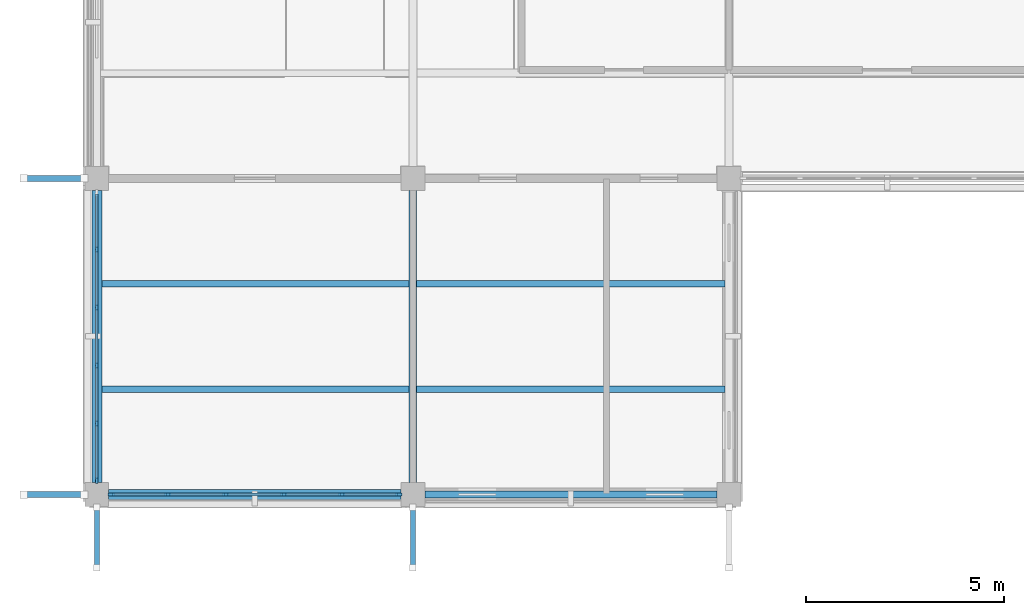
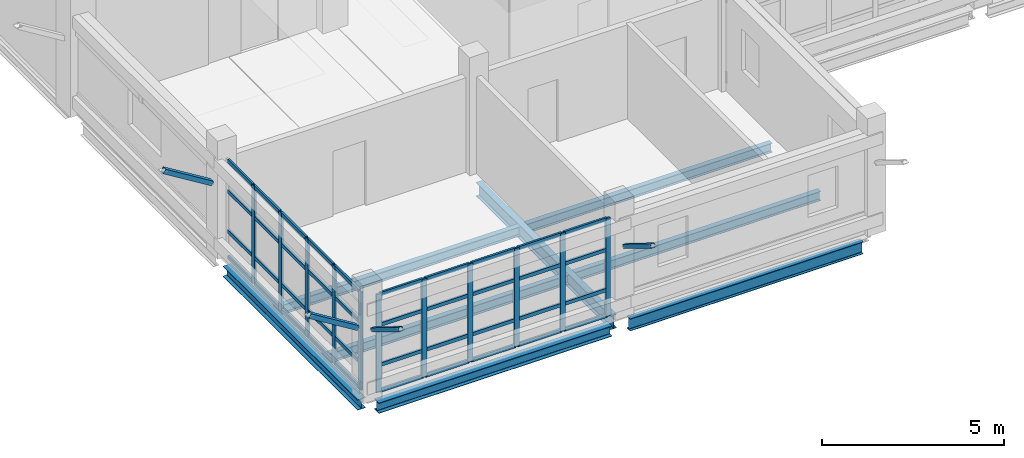
# One storey, part 6 of 126: 55 members, 8 beams, 2 elements without a shape of their own.
"""IFC4 building model written with IfcOpenShell, lengths in metres."""

from ifc_helpers import new_model, si_unit, derived_unit, direction, frame, origin, origin_2d, place, context, subcontext, project, spatial, rectangle, hollow_rectangle, i_section, extrude, material, layer, layer_set, material_profile, profile_set, type_object, element, aggregate, save


model = new_model("IFC4")

# Units and contexts
model_context = context("Model", 3, precision=1e-05, world=origin(), true_north=direction((0.0, 1.0)))
body_context = subcontext(model_context, "Body", "Model", "MODEL_VIEW")
ifc_project = project(units=[si_unit("LENGTHUNIT", "METRE"), si_unit("AREAUNIT", "SQUARE_METRE"), si_unit("VOLUMEUNIT", "CUBIC_METRE"), si_unit("PLANEANGLEUNIT", "RADIAN"), si_unit("MASSUNIT", "GRAM", prefix="KILO"), derived_unit("THERMALTRANSMITTANCEUNIT", [(si_unit("MASSUNIT", "GRAM", prefix="KILO"), 1), (si_unit("TIMEUNIT", "SECOND"), -3), (si_unit("THERMODYNAMICTEMPERATUREUNIT", "KELVIN"), -1)])], contexts=[model_context])

# Site, building, storey
site_placement = place(None, origin())
site = spatial("IfcSite", under=ifc_project, at=site_placement, CompositionType="ELEMENT")
building_placement = place(site_placement, origin())
building = spatial("IfcBuilding", under=site, at=building_placement, Name="Veyamyaing Civic Hall", CompositionType="ELEMENT")
storey_placement = place(building_placement, frame((0.0, 0.0, 9.89990234375)))
storey = spatial("IfcBuildingStorey", under=building, at=storey_placement, Name="L02", CompositionType="ELEMENT", Elevation=9.89990234375)

# Beams
ifc_material_1 = material(Name="Steel ASTM A992", Category="steel")
ifc_material_profile_1 = material_profile(ifc_material_1, i_section(OverallWidth=0.19189453125, OverallDepth=0.462890625, WebThickness=0.010498046875, FlangeThickness=0.017578125, FilletRadius=0.010009765625, at=origin_2d()), Name="W460X89")
ifc_profile_set_1 = profile_set([ifc_material_profile_1], Name="Steel ASTM A992")
beam_type_1 = type_object("IfcBeamType", Name="B-08", PredefinedType="BEAM", material=ifc_profile_set_1)
beam_1_placement = place(storey_placement, frame((8.0, 0.300048828125, -0.516357421875), z_axis=(0.0, 1.0, 0.0), x_axis=(-1.0, 0.0, 0.0)))
element("IfcBeam", 1, at=beam_1_placement, inside=storey, type_object=beam_type_1, Name="Girder B-08 L02 Grid 2 A-B", PredefinedType="BEAM", context=body_context, shape_type="SweptSolid", body=[
    extrude(i_section(OverallWidth=0.19189453125, OverallDepth=0.462890625, WebThickness=0.010498046875, FlangeThickness=0.017578125, FilletRadius=0.010009765625, at=origin_2d()), origin(), (0.0, 0.0, 1.0), 7.39990234375),
])
ifc_material_profile_2 = material_profile(ifc_material_1, i_section(OverallWidth=0.179931640625, OverallDepth=0.4130859375, WebThickness=0.009765625, FlangeThickness=0.01611328125, FilletRadius=0.010009765625, at=origin_2d()), Name="W410X74")
ifc_profile_set_2 = profile_set([ifc_material_profile_2], Name="Steel ASTM A992")
beam_type_2 = type_object("IfcBeamType", Name="B-10", PredefinedType="SPANDREL", material=ifc_profile_set_2)
beam_2_placement = place(storey_placement, frame((8.300048828125, 0.0, -0.491455078125), z_axis=(1.0, 0.0, 0.0), x_axis=(0.0, 1.0, 0.0)))
element("IfcBeam", 2, at=beam_2_placement, inside=storey, type_object=beam_type_2, Name="Girder B-10 L02 Grid A 2-3", PredefinedType="SPANDREL", context=body_context, shape_type="SweptSolid", body=[
    extrude(i_section(OverallWidth=0.179931640625, OverallDepth=0.4130859375, WebThickness=0.009765625, FlangeThickness=0.01611328125, FilletRadius=0.010009765625, at=origin_2d()), origin(), (0.0, 0.0, 1.0), 7.39990234375),
])
ifc_material_profile_3 = material_profile(ifc_material_1, i_section(OverallWidth=0.25390625, OverallDepth=0.35302734375, WebThickness=0.009521484375, FlangeThickness=0.016357421875, FilletRadius=0.011962890625, at=origin_2d()), Name="W360X91")
ifc_profile_set_3 = profile_set([ifc_material_profile_3], Name="Steel ASTM A992")
beam_type_3 = type_object("IfcBeamType", Name="B-20", PredefinedType="SPANDREL", material=ifc_profile_set_3)
for number, where, z_axis, x_axis, name in (
    (3, (0.300048828125, 0.0, -0.46142578125), (1.0, 0.0, 0.0), (0.0, 1.0, 0.0), "Girder B-20 L02 Grid A 1-2"),
    (4, (0.0, 0.300048828125, -0.46142578125), (0.0, 1.0, 0.0), (-1.0, 0.0, 0.0), "Girder B-20 L02 Grid 1 A-B"),
):
    element("IfcBeam", number, at=place(storey_placement, frame(where, z_axis=z_axis, x_axis=x_axis)), inside=storey, type_object=beam_type_3, Name=name, PredefinedType="SPANDREL", context=body_context, shape_type="SweptSolid", body=[
        extrude(i_section(OverallWidth=0.25390625, OverallDepth=0.35302734375, WebThickness=0.009521484375, FlangeThickness=0.016357421875, FilletRadius=0.011962890625, at=origin_2d()), origin(), (0.0, 0.0, 1.0), 7.39990234375),
    ])

# Curtain wall, members
ifc_material_2 = material(Name="Anodised aluminium 6063-T6", Category="aluminium")
ifc_layer = layer(ifc_material_2, 0.159912109375, Name="Anodised aluminium 6063-T6")
ifc_layer_set = layer_set([ifc_layer], Name="Anodised aluminium 6063-T6")
curtain_wall_type = type_object("IfcCurtainWallType", Name="CW-03", PredefinedType="NOTDEFINED", material=ifc_layer_set)
curtain_wall_1_placement = place(storey_placement, origin())
curtain_wall_1 = element("IfcCurtainWall", 5, at=curtain_wall_1_placement, inside=storey, type_object=curtain_wall_type, Name="Unitized curtain wall CW-03 L02 S 1.1", PredefinedType="NOTDEFINED")
ifc_material_profile_4 = material_profile(ifc_material_2, rectangle(XDim=0.06494140625, YDim=0.159912109375, at=origin_2d()), Name="ALU-MUL-65X160")
ifc_profile_set_4 = profile_set([ifc_material_profile_4], Name="Anodised aluminium 6063-T6")
member_type_1 = type_object("IfcMemberType", Name="CWM-01", PredefinedType="MULLION", material=ifc_profile_set_4)
member_1_placement = place(storey_placement, frame((0.362548828125, 0.0, 0.0), z_axis=(0.0, 0.0, 1.0), x_axis=(0.0, 1.0, 0.0)))
member_1 = element("IfcMember", 6, at=member_1_placement, type_object=member_type_1, Name="CW-03 mullion 1", PredefinedType="MULLION", context=body_context, shape_type="SweptSolid", body=[
    extrude(rectangle(XDim=0.06494140625, YDim=0.159912109375, at=origin_2d()), origin(), (0.0, 0.0, 1.0), 3.299072265625),
])
member_2_placement = place(storey_placement, frame((1.798095703125, 0.0, 0.0), z_axis=(0.0, 0.0, 1.0), x_axis=(0.0, 1.0, 0.0)))
member_2 = element("IfcMember", 7, at=member_2_placement, type_object=member_type_1, Name="CW-03 mullion 2", PredefinedType="MULLION", context=body_context, shape_type="SweptSolid", body=[
    extrude(rectangle(XDim=0.06494140625, YDim=0.159912109375, at=origin_2d()), origin(), (0.0, 0.0, 1.0), 3.299072265625),
])
member_3_placement = place(storey_placement, frame((3.26611328125, 0.0, 0.0), z_axis=(0.0, 0.0, 1.0), x_axis=(0.0, 1.0, 0.0)))
member_3 = element("IfcMember", 8, at=member_3_placement, type_object=member_type_1, Name="CW-03 mullion 3", PredefinedType="MULLION", context=body_context, shape_type="SweptSolid", body=[
    extrude(rectangle(XDim=0.06494140625, YDim=0.159912109375, at=origin_2d()), origin(), (0.0, 0.0, 1.0), 3.299072265625),
])
member_4_placement = place(storey_placement, frame((4.73388671875, 0.0, 0.0), z_axis=(0.0, 0.0, 1.0), x_axis=(0.0, 1.0, 0.0)))
member_4 = element("IfcMember", 9, at=member_4_placement, type_object=member_type_1, Name="CW-03 mullion 4", PredefinedType="MULLION", context=body_context, shape_type="SweptSolid", body=[
    extrude(rectangle(XDim=0.06494140625, YDim=0.159912109375, at=origin_2d()), origin(), (0.0, 0.0, 1.0), 3.299072265625),
])
member_5_placement = place(storey_placement, frame((6.201904296875, 0.0, 0.0), z_axis=(0.0, 0.0, 1.0), x_axis=(0.0, 1.0, 0.0)))
member_5 = element("IfcMember", 10, at=member_5_placement, type_object=member_type_1, Name="CW-03 mullion 5", PredefinedType="MULLION", context=body_context, shape_type="SweptSolid", body=[
    extrude(rectangle(XDim=0.06494140625, YDim=0.159912109375, at=origin_2d()), origin(), (0.0, 0.0, 1.0), 3.299072265625),
])
member_6_placement = place(storey_placement, frame((7.637451171875, 0.0, 0.0), z_axis=(0.0, 0.0, 1.0), x_axis=(0.0, 1.0, 0.0)))
member_6 = element("IfcMember", 11, at=member_6_placement, type_object=member_type_1, Name="CW-03 mullion 6", PredefinedType="MULLION", context=body_context, shape_type="SweptSolid", body=[
    extrude(rectangle(XDim=0.06494140625, YDim=0.159912109375, at=origin_2d()), origin(), (0.0, 0.0, 1.0), 3.299072265625),
])

curtain_wall_2_placement = place(storey_placement, origin())
curtain_wall_2 = element("IfcCurtainWall", 12, at=curtain_wall_2_placement, inside=storey, type_object=curtain_wall_type, Name="Unitized curtain wall CW-03 L02 W 1.1", PredefinedType="NOTDEFINED")
member_7_placement = place(storey_placement, frame((0.0, 0.362548828125, 0.0), z_axis=(0.0, 0.0, 1.0), x_axis=(-1.0, 0.0, 0.0)))
member_7 = element("IfcMember", 13, at=member_7_placement, type_object=member_type_1, Name="CW-03 mullion 1", PredefinedType="MULLION", context=body_context, shape_type="SweptSolid", body=[
    extrude(rectangle(XDim=0.06494140625, YDim=0.159912109375, at=origin_2d()), origin(), (0.0, 0.0, 1.0), 3.299072265625),
])
member_8_placement = place(storey_placement, frame((0.0, 1.798095703125, 0.0), z_axis=(0.0, 0.0, 1.0), x_axis=(-1.0, 0.0, 0.0)))
member_8 = element("IfcMember", 14, at=member_8_placement, type_object=member_type_1, Name="CW-03 mullion 2", PredefinedType="MULLION", context=body_context, shape_type="SweptSolid", body=[
    extrude(rectangle(XDim=0.06494140625, YDim=0.159912109375, at=origin_2d()), origin(), (0.0, 0.0, 1.0), 3.299072265625),
])
member_9_placement = place(storey_placement, frame((0.0, 3.26611328125, 0.0), z_axis=(0.0, 0.0, 1.0), x_axis=(-1.0, 0.0, 0.0)))
member_9 = element("IfcMember", 15, at=member_9_placement, type_object=member_type_1, Name="CW-03 mullion 3", PredefinedType="MULLION", context=body_context, shape_type="SweptSolid", body=[
    extrude(rectangle(XDim=0.06494140625, YDim=0.159912109375, at=origin_2d()), origin(), (0.0, 0.0, 1.0), 3.299072265625),
])
member_10_placement = place(storey_placement, frame((0.0, 4.73388671875, 0.0), z_axis=(0.0, 0.0, 1.0), x_axis=(-1.0, 0.0, 0.0)))
member_10 = element("IfcMember", 16, at=member_10_placement, type_object=member_type_1, Name="CW-03 mullion 4", PredefinedType="MULLION", context=body_context, shape_type="SweptSolid", body=[
    extrude(rectangle(XDim=0.06494140625, YDim=0.159912109375, at=origin_2d()), origin(), (0.0, 0.0, 1.0), 3.299072265625),
])
member_11_placement = place(storey_placement, frame((0.0, 6.201904296875, 0.0), z_axis=(0.0, 0.0, 1.0), x_axis=(-1.0, 0.0, 0.0)))
member_11 = element("IfcMember", 17, at=member_11_placement, type_object=member_type_1, Name="CW-03 mullion 5", PredefinedType="MULLION", context=body_context, shape_type="SweptSolid", body=[
    extrude(rectangle(XDim=0.06494140625, YDim=0.159912109375, at=origin_2d()), origin(), (0.0, 0.0, 1.0), 3.299072265625),
])

# Member
ifc_material_profile_5 = material_profile(ifc_material_2, rectangle(XDim=0.06494140625, YDim=0.1201171875, at=origin_2d()), Name="ALU-TRN-65X120")
ifc_profile_set_5 = profile_set([ifc_material_profile_5], Name="Anodised aluminium 6063-T6")
member_type_2 = type_object("IfcMemberType", Name="CWT-01", PredefinedType="USERDEFINED", material=ifc_profile_set_5)
member_12_placement = place(storey_placement, frame((0.39501953125, 0.0, 0.03271484375), z_axis=(1.0, 0.0, 0.0), x_axis=(0.0, 1.0, 0.0)))
member_12 = element("IfcMember", 18, at=member_12_placement, type_object=member_type_2, Name="CW-03 transom 1.1", ObjectType="TRANSOM", PredefinedType="USERDEFINED", context=body_context, shape_type="SweptSolid", body=[
    extrude(rectangle(XDim=0.06494140625, YDim=0.1201171875, at=origin_2d()), origin(), (0.0, 0.0, 1.0), 1.370361328125),
])

member_13_placement = place(storey_placement, frame((0.39501953125, 0.0, 0.900146484375), z_axis=(1.0, 0.0, 0.0), x_axis=(0.0, 1.0, 0.0)))
member_13 = element("IfcMember", 19, at=member_13_placement, type_object=member_type_2, Name="CW-03 transom 1.2", ObjectType="TRANSOM", PredefinedType="USERDEFINED", context=body_context, shape_type="SweptSolid", body=[
    extrude(rectangle(XDim=0.06494140625, YDim=0.1201171875, at=origin_2d()), origin(), (0.0, 0.0, 1.0), 1.370361328125),
])

member_14_placement = place(storey_placement, frame((0.39501953125, 0.0, 2.243408203125), z_axis=(1.0, 0.0, 0.0), x_axis=(0.0, 1.0, 0.0)))
member_14 = element("IfcMember", 20, at=member_14_placement, type_object=member_type_2, Name="CW-03 transom 1.3", ObjectType="TRANSOM", PredefinedType="USERDEFINED", context=body_context, shape_type="SweptSolid", body=[
    extrude(rectangle(XDim=0.06494140625, YDim=0.1201171875, at=origin_2d()), origin(), (0.0, 0.0, 1.0), 1.370361328125),
])

member_15_placement = place(storey_placement, frame((0.39501953125, 0.0, 3.2666015625), z_axis=(1.0, 0.0, 0.0), x_axis=(0.0, 1.0, 0.0)))
member_15 = element("IfcMember", 21, at=member_15_placement, type_object=member_type_2, Name="CW-03 transom 1.4", ObjectType="TRANSOM", PredefinedType="USERDEFINED", context=body_context, shape_type="SweptSolid", body=[
    extrude(rectangle(XDim=0.06494140625, YDim=0.1201171875, at=origin_2d()), origin(), (0.0, 0.0, 1.0), 1.370361328125),
])

member_16_placement = place(storey_placement, frame((1.83056640625, 0.0, 0.03271484375), z_axis=(1.0, 0.0, 0.0), x_axis=(0.0, 1.0, 0.0)))
member_16 = element("IfcMember", 22, at=member_16_placement, type_object=member_type_2, Name="CW-03 transom 2.1", ObjectType="TRANSOM", PredefinedType="USERDEFINED", context=body_context, shape_type="SweptSolid", body=[
    extrude(rectangle(XDim=0.06494140625, YDim=0.1201171875, at=origin_2d()), origin(), (0.0, 0.0, 1.0), 1.40283203125),
])

member_17_placement = place(storey_placement, frame((1.83056640625, 0.0, 0.900146484375), z_axis=(1.0, 0.0, 0.0), x_axis=(0.0, 1.0, 0.0)))
member_17 = element("IfcMember", 23, at=member_17_placement, type_object=member_type_2, Name="CW-03 transom 2.2", ObjectType="TRANSOM", PredefinedType="USERDEFINED", context=body_context, shape_type="SweptSolid", body=[
    extrude(rectangle(XDim=0.06494140625, YDim=0.1201171875, at=origin_2d()), origin(), (0.0, 0.0, 1.0), 1.40283203125),
])

member_18_placement = place(storey_placement, frame((1.83056640625, 0.0, 2.243408203125), z_axis=(1.0, 0.0, 0.0), x_axis=(0.0, 1.0, 0.0)))
member_18 = element("IfcMember", 24, at=member_18_placement, type_object=member_type_2, Name="CW-03 transom 2.3", ObjectType="TRANSOM", PredefinedType="USERDEFINED", context=body_context, shape_type="SweptSolid", body=[
    extrude(rectangle(XDim=0.06494140625, YDim=0.1201171875, at=origin_2d()), origin(), (0.0, 0.0, 1.0), 1.40283203125),
])

member_19_placement = place(storey_placement, frame((1.83056640625, 0.0, 3.2666015625), z_axis=(1.0, 0.0, 0.0), x_axis=(0.0, 1.0, 0.0)))
member_19 = element("IfcMember", 25, at=member_19_placement, type_object=member_type_2, Name="CW-03 transom 2.4", ObjectType="TRANSOM", PredefinedType="USERDEFINED", context=body_context, shape_type="SweptSolid", body=[
    extrude(rectangle(XDim=0.06494140625, YDim=0.1201171875, at=origin_2d()), origin(), (0.0, 0.0, 1.0), 1.40283203125),
])

member_20_placement = place(storey_placement, frame((3.298583984375, 0.0, 0.03271484375), z_axis=(1.0, 0.0, 0.0), x_axis=(0.0, 1.0, 0.0)))
member_20 = element("IfcMember", 26, at=member_20_placement, type_object=member_type_2, Name="CW-03 transom 3.1", ObjectType="TRANSOM", PredefinedType="USERDEFINED", context=body_context, shape_type="SweptSolid", body=[
    extrude(rectangle(XDim=0.06494140625, YDim=0.1201171875, at=origin_2d()), origin(), (0.0, 0.0, 1.0), 1.40283203125),
])

member_21_placement = place(storey_placement, frame((3.298583984375, 0.0, 0.900146484375), z_axis=(1.0, 0.0, 0.0), x_axis=(0.0, 1.0, 0.0)))
member_21 = element("IfcMember", 27, at=member_21_placement, type_object=member_type_2, Name="CW-03 transom 3.2", ObjectType="TRANSOM", PredefinedType="USERDEFINED", context=body_context, shape_type="SweptSolid", body=[
    extrude(rectangle(XDim=0.06494140625, YDim=0.1201171875, at=origin_2d()), origin(), (0.0, 0.0, 1.0), 1.40283203125),
])

member_22_placement = place(storey_placement, frame((3.298583984375, 0.0, 2.243408203125), z_axis=(1.0, 0.0, 0.0), x_axis=(0.0, 1.0, 0.0)))
member_22 = element("IfcMember", 28, at=member_22_placement, type_object=member_type_2, Name="CW-03 transom 3.3", ObjectType="TRANSOM", PredefinedType="USERDEFINED", context=body_context, shape_type="SweptSolid", body=[
    extrude(rectangle(XDim=0.06494140625, YDim=0.1201171875, at=origin_2d()), origin(), (0.0, 0.0, 1.0), 1.40283203125),
])

member_23_placement = place(storey_placement, frame((3.298583984375, 0.0, 3.2666015625), z_axis=(1.0, 0.0, 0.0), x_axis=(0.0, 1.0, 0.0)))
member_23 = element("IfcMember", 29, at=member_23_placement, type_object=member_type_2, Name="CW-03 transom 3.4", ObjectType="TRANSOM", PredefinedType="USERDEFINED", context=body_context, shape_type="SweptSolid", body=[
    extrude(rectangle(XDim=0.06494140625, YDim=0.1201171875, at=origin_2d()), origin(), (0.0, 0.0, 1.0), 1.40283203125),
])

member_24_placement = place(storey_placement, frame((4.7666015625, 0.0, 0.03271484375), z_axis=(1.0, 0.0, 0.0), x_axis=(0.0, 1.0, 0.0)))
member_24 = element("IfcMember", 30, at=member_24_placement, type_object=member_type_2, Name="CW-03 transom 4.1", ObjectType="TRANSOM", PredefinedType="USERDEFINED", context=body_context, shape_type="SweptSolid", body=[
    extrude(rectangle(XDim=0.06494140625, YDim=0.1201171875, at=origin_2d()), origin(), (0.0, 0.0, 1.0), 1.40283203125),
])

member_25_placement = place(storey_placement, frame((4.7666015625, 0.0, 0.900146484375), z_axis=(1.0, 0.0, 0.0), x_axis=(0.0, 1.0, 0.0)))
member_25 = element("IfcMember", 31, at=member_25_placement, type_object=member_type_2, Name="CW-03 transom 4.2", ObjectType="TRANSOM", PredefinedType="USERDEFINED", context=body_context, shape_type="SweptSolid", body=[
    extrude(rectangle(XDim=0.06494140625, YDim=0.1201171875, at=origin_2d()), origin(), (0.0, 0.0, 1.0), 1.40283203125),
])

member_26_placement = place(storey_placement, frame((4.7666015625, 0.0, 2.243408203125), z_axis=(1.0, 0.0, 0.0), x_axis=(0.0, 1.0, 0.0)))
member_26 = element("IfcMember", 32, at=member_26_placement, type_object=member_type_2, Name="CW-03 transom 4.3", ObjectType="TRANSOM", PredefinedType="USERDEFINED", context=body_context, shape_type="SweptSolid", body=[
    extrude(rectangle(XDim=0.06494140625, YDim=0.1201171875, at=origin_2d()), origin(), (0.0, 0.0, 1.0), 1.40283203125),
])

member_27_placement = place(storey_placement, frame((4.7666015625, 0.0, 3.2666015625), z_axis=(1.0, 0.0, 0.0), x_axis=(0.0, 1.0, 0.0)))
member_27 = element("IfcMember", 33, at=member_27_placement, type_object=member_type_2, Name="CW-03 transom 4.4", ObjectType="TRANSOM", PredefinedType="USERDEFINED", context=body_context, shape_type="SweptSolid", body=[
    extrude(rectangle(XDim=0.06494140625, YDim=0.1201171875, at=origin_2d()), origin(), (0.0, 0.0, 1.0), 1.40283203125),
])

member_28_placement = place(storey_placement, frame((6.234619140625, 0.0, 0.03271484375), z_axis=(1.0, 0.0, 0.0), x_axis=(0.0, 1.0, 0.0)))
member_28 = element("IfcMember", 34, at=member_28_placement, type_object=member_type_2, Name="CW-03 transom 5.1", ObjectType="TRANSOM", PredefinedType="USERDEFINED", context=body_context, shape_type="SweptSolid", body=[
    extrude(rectangle(XDim=0.06494140625, YDim=0.1201171875, at=origin_2d()), origin(), (0.0, 0.0, 1.0), 1.370361328125),
])

member_29_placement = place(storey_placement, frame((6.234619140625, 0.0, 0.900146484375), z_axis=(1.0, 0.0, 0.0), x_axis=(0.0, 1.0, 0.0)))
member_29 = element("IfcMember", 35, at=member_29_placement, type_object=member_type_2, Name="CW-03 transom 5.2", ObjectType="TRANSOM", PredefinedType="USERDEFINED", context=body_context, shape_type="SweptSolid", body=[
    extrude(rectangle(XDim=0.06494140625, YDim=0.1201171875, at=origin_2d()), origin(), (0.0, 0.0, 1.0), 1.370361328125),
])

member_30_placement = place(storey_placement, frame((6.234619140625, 0.0, 2.243408203125), z_axis=(1.0, 0.0, 0.0), x_axis=(0.0, 1.0, 0.0)))
member_30 = element("IfcMember", 36, at=member_30_placement, type_object=member_type_2, Name="CW-03 transom 5.3", ObjectType="TRANSOM", PredefinedType="USERDEFINED", context=body_context, shape_type="SweptSolid", body=[
    extrude(rectangle(XDim=0.06494140625, YDim=0.1201171875, at=origin_2d()), origin(), (0.0, 0.0, 1.0), 1.370361328125),
])

member_31_placement = place(storey_placement, frame((6.234619140625, 0.0, 3.2666015625), z_axis=(1.0, 0.0, 0.0), x_axis=(0.0, 1.0, 0.0)))
member_31 = element("IfcMember", 37, at=member_31_placement, type_object=member_type_2, Name="CW-03 transom 5.4", ObjectType="TRANSOM", PredefinedType="USERDEFINED", context=body_context, shape_type="SweptSolid", body=[
    extrude(rectangle(XDim=0.06494140625, YDim=0.1201171875, at=origin_2d()), origin(), (0.0, 0.0, 1.0), 1.370361328125),
])

aggregate(curtain_wall_1, [member_1, member_2, member_3, member_4, member_5, member_6, member_12, member_13, member_14, member_15, member_16, member_17, member_18, member_19, member_20, member_21, member_22, member_23, member_24, member_25, member_26, member_27, member_28, member_29, member_30, member_31])

member_32_placement = place(storey_placement, frame((0.0, 0.39501953125, 0.03271484375), z_axis=(0.0, 1.0, 0.0), x_axis=(-1.0, 0.0, 0.0)))
member_32 = element("IfcMember", 38, at=member_32_placement, type_object=member_type_2, Name="CW-03 transom 1.1", ObjectType="TRANSOM", PredefinedType="USERDEFINED", context=body_context, shape_type="SweptSolid", body=[
    extrude(rectangle(XDim=0.06494140625, YDim=0.1201171875, at=origin_2d()), origin(), (0.0, 0.0, 1.0), 1.370361328125),
])

member_33_placement = place(storey_placement, frame((0.0, 0.39501953125, 0.900146484375), z_axis=(0.0, 1.0, 0.0), x_axis=(-1.0, 0.0, 0.0)))
member_33 = element("IfcMember", 39, at=member_33_placement, type_object=member_type_2, Name="CW-03 transom 1.2", ObjectType="TRANSOM", PredefinedType="USERDEFINED", context=body_context, shape_type="SweptSolid", body=[
    extrude(rectangle(XDim=0.06494140625, YDim=0.1201171875, at=origin_2d()), origin(), (0.0, 0.0, 1.0), 1.370361328125),
])

member_34_placement = place(storey_placement, frame((0.0, 0.39501953125, 2.243408203125), z_axis=(0.0, 1.0, 0.0), x_axis=(-1.0, 0.0, 0.0)))
member_34 = element("IfcMember", 40, at=member_34_placement, type_object=member_type_2, Name="CW-03 transom 1.3", ObjectType="TRANSOM", PredefinedType="USERDEFINED", context=body_context, shape_type="SweptSolid", body=[
    extrude(rectangle(XDim=0.06494140625, YDim=0.1201171875, at=origin_2d()), origin(), (0.0, 0.0, 1.0), 1.370361328125),
])

member_35_placement = place(storey_placement, frame((0.0, 0.39501953125, 3.2666015625), z_axis=(0.0, 1.0, 0.0), x_axis=(-1.0, 0.0, 0.0)))
member_35 = element("IfcMember", 41, at=member_35_placement, type_object=member_type_2, Name="CW-03 transom 1.4", ObjectType="TRANSOM", PredefinedType="USERDEFINED", context=body_context, shape_type="SweptSolid", body=[
    extrude(rectangle(XDim=0.06494140625, YDim=0.1201171875, at=origin_2d()), origin(), (0.0, 0.0, 1.0), 1.370361328125),
])

member_36_placement = place(storey_placement, frame((0.0, 1.83056640625, 0.03271484375), z_axis=(0.0, 1.0, 0.0), x_axis=(-1.0, 0.0, 0.0)))
member_36 = element("IfcMember", 42, at=member_36_placement, type_object=member_type_2, Name="CW-03 transom 2.1", ObjectType="TRANSOM", PredefinedType="USERDEFINED", context=body_context, shape_type="SweptSolid", body=[
    extrude(rectangle(XDim=0.06494140625, YDim=0.1201171875, at=origin_2d()), origin(), (0.0, 0.0, 1.0), 1.40283203125),
])

member_37_placement = place(storey_placement, frame((0.0, 1.83056640625, 0.900146484375), z_axis=(0.0, 1.0, 0.0), x_axis=(-1.0, 0.0, 0.0)))
member_37 = element("IfcMember", 43, at=member_37_placement, type_object=member_type_2, Name="CW-03 transom 2.2", ObjectType="TRANSOM", PredefinedType="USERDEFINED", context=body_context, shape_type="SweptSolid", body=[
    extrude(rectangle(XDim=0.06494140625, YDim=0.1201171875, at=origin_2d()), origin(), (0.0, 0.0, 1.0), 1.40283203125),
])

member_38_placement = place(storey_placement, frame((0.0, 1.83056640625, 2.243408203125), z_axis=(0.0, 1.0, 0.0), x_axis=(-1.0, 0.0, 0.0)))
member_38 = element("IfcMember", 44, at=member_38_placement, type_object=member_type_2, Name="CW-03 transom 2.3", ObjectType="TRANSOM", PredefinedType="USERDEFINED", context=body_context, shape_type="SweptSolid", body=[
    extrude(rectangle(XDim=0.06494140625, YDim=0.1201171875, at=origin_2d()), origin(), (0.0, 0.0, 1.0), 1.40283203125),
])

member_39_placement = place(storey_placement, frame((0.0, 1.83056640625, 3.2666015625), z_axis=(0.0, 1.0, 0.0), x_axis=(-1.0, 0.0, 0.0)))
member_39 = element("IfcMember", 45, at=member_39_placement, type_object=member_type_2, Name="CW-03 transom 2.4", ObjectType="TRANSOM", PredefinedType="USERDEFINED", context=body_context, shape_type="SweptSolid", body=[
    extrude(rectangle(XDim=0.06494140625, YDim=0.1201171875, at=origin_2d()), origin(), (0.0, 0.0, 1.0), 1.40283203125),
])

member_40_placement = place(storey_placement, frame((0.0, 3.298583984375, 0.03271484375), z_axis=(0.0, 1.0, 0.0), x_axis=(-1.0, 0.0, 0.0)))
member_40 = element("IfcMember", 46, at=member_40_placement, type_object=member_type_2, Name="CW-03 transom 3.1", ObjectType="TRANSOM", PredefinedType="USERDEFINED", context=body_context, shape_type="SweptSolid", body=[
    extrude(rectangle(XDim=0.06494140625, YDim=0.1201171875, at=origin_2d()), origin(), (0.0, 0.0, 1.0), 1.40283203125),
])

member_41_placement = place(storey_placement, frame((0.0, 3.298583984375, 0.900146484375), z_axis=(0.0, 1.0, 0.0), x_axis=(-1.0, 0.0, 0.0)))
member_41 = element("IfcMember", 47, at=member_41_placement, type_object=member_type_2, Name="CW-03 transom 3.2", ObjectType="TRANSOM", PredefinedType="USERDEFINED", context=body_context, shape_type="SweptSolid", body=[
    extrude(rectangle(XDim=0.06494140625, YDim=0.1201171875, at=origin_2d()), origin(), (0.0, 0.0, 1.0), 1.40283203125),
])

member_42_placement = place(storey_placement, frame((0.0, 3.298583984375, 2.243408203125), z_axis=(0.0, 1.0, 0.0), x_axis=(-1.0, 0.0, 0.0)))
member_42 = element("IfcMember", 48, at=member_42_placement, type_object=member_type_2, Name="CW-03 transom 3.3", ObjectType="TRANSOM", PredefinedType="USERDEFINED", context=body_context, shape_type="SweptSolid", body=[
    extrude(rectangle(XDim=0.06494140625, YDim=0.1201171875, at=origin_2d()), origin(), (0.0, 0.0, 1.0), 1.40283203125),
])

member_43_placement = place(storey_placement, frame((0.0, 3.298583984375, 3.2666015625), z_axis=(0.0, 1.0, 0.0), x_axis=(-1.0, 0.0, 0.0)))
member_43 = element("IfcMember", 49, at=member_43_placement, type_object=member_type_2, Name="CW-03 transom 3.4", ObjectType="TRANSOM", PredefinedType="USERDEFINED", context=body_context, shape_type="SweptSolid", body=[
    extrude(rectangle(XDim=0.06494140625, YDim=0.1201171875, at=origin_2d()), origin(), (0.0, 0.0, 1.0), 1.40283203125),
])

member_44_placement = place(storey_placement, frame((0.0, 4.7666015625, 0.03271484375), z_axis=(0.0, 1.0, 0.0), x_axis=(-1.0, 0.0, 0.0)))
member_44 = element("IfcMember", 50, at=member_44_placement, type_object=member_type_2, Name="CW-03 transom 4.1", ObjectType="TRANSOM", PredefinedType="USERDEFINED", context=body_context, shape_type="SweptSolid", body=[
    extrude(rectangle(XDim=0.06494140625, YDim=0.1201171875, at=origin_2d()), origin(), (0.0, 0.0, 1.0), 1.40283203125),
])

member_45_placement = place(storey_placement, frame((0.0, 4.7666015625, 0.900146484375), z_axis=(0.0, 1.0, 0.0), x_axis=(-1.0, 0.0, 0.0)))
member_45 = element("IfcMember", 51, at=member_45_placement, type_object=member_type_2, Name="CW-03 transom 4.2", ObjectType="TRANSOM", PredefinedType="USERDEFINED", context=body_context, shape_type="SweptSolid", body=[
    extrude(rectangle(XDim=0.06494140625, YDim=0.1201171875, at=origin_2d()), origin(), (0.0, 0.0, 1.0), 1.40283203125),
])

member_46_placement = place(storey_placement, frame((0.0, 4.7666015625, 2.243408203125), z_axis=(0.0, 1.0, 0.0), x_axis=(-1.0, 0.0, 0.0)))
member_46 = element("IfcMember", 52, at=member_46_placement, type_object=member_type_2, Name="CW-03 transom 4.3", ObjectType="TRANSOM", PredefinedType="USERDEFINED", context=body_context, shape_type="SweptSolid", body=[
    extrude(rectangle(XDim=0.06494140625, YDim=0.1201171875, at=origin_2d()), origin(), (0.0, 0.0, 1.0), 1.40283203125),
])

member_47_placement = place(storey_placement, frame((0.0, 4.7666015625, 3.2666015625), z_axis=(0.0, 1.0, 0.0), x_axis=(-1.0, 0.0, 0.0)))
member_47 = element("IfcMember", 53, at=member_47_placement, type_object=member_type_2, Name="CW-03 transom 4.4", ObjectType="TRANSOM", PredefinedType="USERDEFINED", context=body_context, shape_type="SweptSolid", body=[
    extrude(rectangle(XDim=0.06494140625, YDim=0.1201171875, at=origin_2d()), origin(), (0.0, 0.0, 1.0), 1.40283203125),
])

member_48_placement = place(storey_placement, frame((0.0, 6.234619140625, 0.03271484375), z_axis=(0.0, 1.0, 0.0), x_axis=(-1.0, 0.0, 0.0)))
member_48 = element("IfcMember", 54, at=member_48_placement, type_object=member_type_2, Name="CW-03 transom 5.1", ObjectType="TRANSOM", PredefinedType="USERDEFINED", context=body_context, shape_type="SweptSolid", body=[
    extrude(rectangle(XDim=0.06494140625, YDim=0.1201171875, at=origin_2d()), origin(), (0.0, 0.0, 1.0), 1.370361328125),
])

member_49_placement = place(storey_placement, frame((0.0, 6.234619140625, 0.900146484375), z_axis=(0.0, 1.0, 0.0), x_axis=(-1.0, 0.0, 0.0)))
member_49 = element("IfcMember", 55, at=member_49_placement, type_object=member_type_2, Name="CW-03 transom 5.2", ObjectType="TRANSOM", PredefinedType="USERDEFINED", context=body_context, shape_type="SweptSolid", body=[
    extrude(rectangle(XDim=0.06494140625, YDim=0.1201171875, at=origin_2d()), origin(), (0.0, 0.0, 1.0), 1.370361328125),
])

member_50_placement = place(storey_placement, frame((0.0, 6.234619140625, 2.243408203125), z_axis=(0.0, 1.0, 0.0), x_axis=(-1.0, 0.0, 0.0)))
member_50 = element("IfcMember", 56, at=member_50_placement, type_object=member_type_2, Name="CW-03 transom 5.3", ObjectType="TRANSOM", PredefinedType="USERDEFINED", context=body_context, shape_type="SweptSolid", body=[
    extrude(rectangle(XDim=0.06494140625, YDim=0.1201171875, at=origin_2d()), origin(), (0.0, 0.0, 1.0), 1.370361328125),
])

member_51_placement = place(storey_placement, frame((0.0, 6.234619140625, 3.2666015625), z_axis=(0.0, 1.0, 0.0), x_axis=(-1.0, 0.0, 0.0)))
member_51 = element("IfcMember", 57, at=member_51_placement, type_object=member_type_2, Name="CW-03 transom 5.4", ObjectType="TRANSOM", PredefinedType="USERDEFINED", context=body_context, shape_type="SweptSolid", body=[
    extrude(rectangle(XDim=0.06494140625, YDim=0.1201171875, at=origin_2d()), origin(), (0.0, 0.0, 1.0), 1.370361328125),
])

aggregate(curtain_wall_2, [member_7, member_8, member_9, member_10, member_11, member_32, member_33, member_34, member_35, member_36, member_37, member_38, member_39, member_40, member_41, member_42, member_43, member_44, member_45, member_46, member_47, member_48, member_49, member_50, member_51])

# Beams
ifc_material_profile_6 = material_profile(ifc_material_1, i_section(OverallWidth=0.1669921875, OverallDepth=0.318115234375, WebThickness=0.007568359375, FlangeThickness=0.01318359375, FilletRadius=0.010009765625, at=origin_2d()), Name="W310X52")
ifc_profile_set_6 = profile_set([ifc_material_profile_6], Name="Steel ASTM A992")
beam_type_4 = type_object("IfcBeamType", Name="J-04", PredefinedType="JOIST", material=ifc_profile_set_6)
for number, where, z_axis, x_axis, name in (
    (58, (0.125, 2.666748046875, -0.44384765625), (1.0, 0.0, 0.0), (0.0, 1.0, 0.0), "Composite floor joist J-04 L02 1.1.1"),
    (59, (0.125, 5.333251953125, -0.44384765625), (1.0, 0.0, 0.0), (0.0, 1.0, 0.0), "Composite floor joist J-04 L02 1.1.2"),
):
    element("IfcBeam", number, at=place(storey_placement, frame(where, z_axis=z_axis, x_axis=x_axis)), inside=storey, type_object=beam_type_4, Name=name, PredefinedType="JOIST", context=body_context, shape_type="SweptSolid", body=[
        extrude(i_section(OverallWidth=0.1669921875, OverallDepth=0.318115234375, WebThickness=0.007568359375, FlangeThickness=0.01318359375, FilletRadius=0.010009765625, at=origin_2d()), origin(), (0.0, 0.0, 1.0), 7.781005859375),
    ])
ifc_material_profile_7 = material_profile(ifc_material_1, i_section(OverallWidth=0.1650390625, OverallDepth=0.31005859375, WebThickness=0.005859375, FlangeThickness=0.009765625, FilletRadius=0.010009765625, at=origin_2d()), Name="W310X39")
ifc_profile_set_7 = profile_set([ifc_material_profile_7], Name="Steel ASTM A992")
beam_type_5 = type_object("IfcBeamType", Name="J-05", PredefinedType="JOIST", material=ifc_profile_set_7)
for number, where, z_axis, x_axis, name in (
    (60, (8.093994140625, 2.666748046875, -0.43994140625), (1.0, 0.0, 0.0), (0.0, 1.0, 0.0), "Composite floor joist J-05 L02 2.1.1"),
    (61, (8.093994140625, 5.333251953125, -0.43994140625), (1.0, 0.0, 0.0), (0.0, 1.0, 0.0), "Composite floor joist J-05 L02 2.1.2"),
):
    element("IfcBeam", number, at=place(storey_placement, frame(where, z_axis=z_axis, x_axis=x_axis)), inside=storey, type_object=beam_type_5, Name=name, PredefinedType="JOIST", context=body_context, shape_type="SweptSolid", body=[
        extrude(i_section(OverallWidth=0.1650390625, OverallDepth=0.31005859375, WebThickness=0.005859375, FlangeThickness=0.009765625, FilletRadius=0.010009765625, at=origin_2d()), origin(), (0.0, 0.0, 1.0), 7.805908203125),
    ])

# Members
ifc_material_3 = material(Name="Steel S355J2", Category="steel")
ifc_material_profile_8 = material_profile(ifc_material_3, hollow_rectangle(XDim=0.152099609375, YDim=0.152099609375, WallThickness=0.009521484375, at=origin_2d()), Name="HSS152X152X9.5")
ifc_profile_set_8 = profile_set([ifc_material_profile_8], Name="Steel S355J2")
member_type_3 = type_object("IfcMemberType", Name="SR-01", PredefinedType="STRUT", material=ifc_profile_set_8)
for number, where, z_axis, x_axis, name in (
    (62, (-0.320068359375, 0.0, 2.41015625), (-0.852059527287, 0.0, 0.523444898685), (0.0, -1.0, 0.0), "Sacak diagonal steel eave strut SR-01 V2-W.0"),
    (63, (-0.320068359375, 8.0, 2.41015625), (-0.852059527287, 0.0, 0.523444898685), (0.0, -1.0, 0.0), "Sacak diagonal steel eave strut SR-01 V2-W.1"),
):
    element("IfcMember", number, at=place(storey_placement, frame(where, z_axis=z_axis, x_axis=x_axis)), inside=storey, type_object=member_type_3, Name=name, PredefinedType="STRUT", context=body_context, shape_type="SweptSolid", body=[
        extrude(hollow_rectangle(XDim=0.152099609375, YDim=0.152099609375, WallThickness=0.009521484375, at=origin_2d()), origin(), (0.0, 0.0, 1.0), 1.795654296875),
    ])
ifc_material_profile_9 = material_profile(ifc_material_3, hollow_rectangle(XDim=0.126953125, YDim=0.126953125, WallThickness=0.009521484375, at=origin_2d()), Name="HSS127X127X9.5")
ifc_profile_set_9 = profile_set([ifc_material_profile_9], Name="Steel S355J2")
member_type_4 = type_object("IfcMemberType", Name="SR-03", PredefinedType="STRUT", material=ifc_profile_set_9)
for number, where, z_axis, x_axis, name in (
    (64, (0.0, -0.320068359375, 2.41015625), (0.0, -0.852059527287, 0.523444898685), (1.0, 0.0, 0.0), "Sacak diagonal steel eave strut SR-03 V2-S.0"),
    (65, (8.0, -0.320068359375, 2.41015625), (0.0, -0.852059527287, 0.523444898685), (1.0, 0.0, 0.0), "Sacak diagonal steel eave strut SR-03 V2-S.1"),
):
    element("IfcMember", number, at=place(storey_placement, frame(where, z_axis=z_axis, x_axis=x_axis)), inside=storey, type_object=member_type_4, Name=name, PredefinedType="STRUT", context=body_context, shape_type="SweptSolid", body=[
        extrude(hollow_rectangle(XDim=0.126953125, YDim=0.126953125, WallThickness=0.009521484375, at=origin_2d()), origin(), (0.0, 0.0, 1.0), 1.795654296875),
    ])

save(model, "model.ifc")
